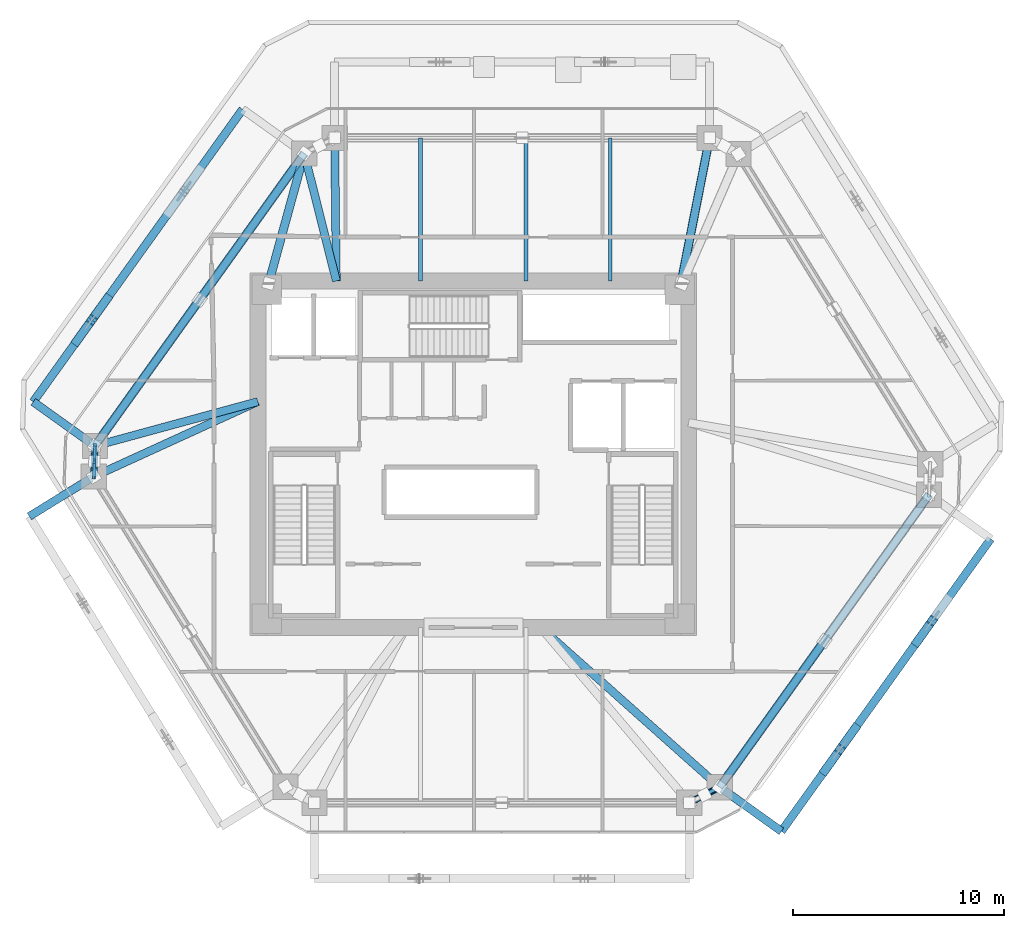
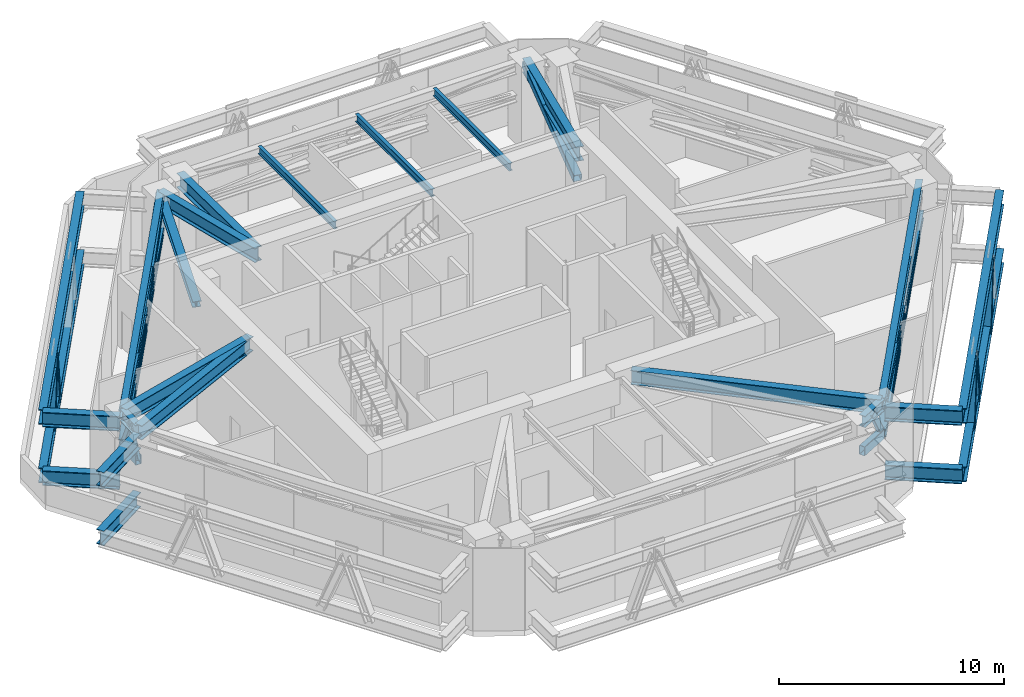
# One storey, part 2 of 11: 23 beams, 19 members.
"""IFC4 building model written with IfcOpenShell, lengths in metres."""

from ifc_helpers import new_model, si_unit, direction, frame, origin, origin_2d, place, context, subcontext, project, spatial, hollow_rectangle, i_section, extrude, source, transform, mapped, material, material_profile, profile_set, type_object, type_shapes, element, save


model = new_model("IFC4")

# Units and contexts
model_context = context("Model", 3, precision=1e-05, world=origin(), true_north=direction((0.0, 1.0)))
body_context = subcontext(model_context, "Body", "Model", "MODEL_VIEW")
ifc_project = project(units=[si_unit("LENGTHUNIT", "METRE"), si_unit("AREAUNIT", "SQUARE_METRE"), si_unit("VOLUMEUNIT", "CUBIC_METRE"), si_unit("PLANEANGLEUNIT", "RADIAN"), si_unit("MASSUNIT", "GRAM", prefix="KILO")], contexts=[model_context])

# Site, building, storey
site_placement = place(None, origin())
site = spatial("IfcSite", under=ifc_project, at=site_placement, CompositionType="ELEMENT")
building_placement = place(site_placement, origin())
building = spatial("IfcBuilding", under=site, at=building_placement, Name="Durnholm Broadcast Tower", CompositionType="ELEMENT")
storey_placement = place(building_placement, frame((0.0, 0.0, 150.300048828125)))
storey = spatial("IfcBuildingStorey", under=building, at=storey_placement, Name="L41", CompositionType="ELEMENT", Elevation=150.300048828125)

# Beams
ifc_material_1 = material(Name="Steel ASTM A992 Grade 50", Category="steel")
ifc_material_profile_1 = material_profile(ifc_material_1, i_section(OverallWidth=0.385009765625, OverallDepth=0.802978515625, WebThickness=0.023681640625, FlangeThickness=0.0419921875, FilletRadius=0.032958984375, at=origin_2d()), Name="W30X261")
ifc_profile_set_1 = profile_set([ifc_material_profile_1], Name="Steel ASTM A992 Grade 50")
beam_type_1 = type_object("IfcBeamType", Name="BM-EXO-TIE", PredefinedType="USERDEFINED", material=ifc_profile_set_1)
shared_shape_1 = source(origin(), body_context, "Body", "SweptSolid", [
    extrude(i_section(OverallWidth=0.385009765625, OverallDepth=0.802978515625, WebThickness=0.023681640625, FlangeThickness=0.0419921875, FilletRadius=0.032958984375, at=origin_2d()), origin(), (0.0, 0.0, 1.0), 3.4560546875),
])
for number, where, z_axis, x_axis, name in (
    (1, (11.81689453125, -15.884033203125, 0.550048828125), (0.813079048773, -0.582153296346, 0.0), (0.582153296346, 0.813079048773, 0.0), "L41 zone-base exoskeleton stand-off tie bracket F2.1"),
    (2, (11.81689453125, -15.884033203125, 3.728515625), (0.813079048773, -0.582153296346, 0.0), (0.582153296346, 0.813079048773, 0.0), "L41 exoskeleton stand-off tie bracket F2.1"),
    (3, (-18.131591796875, -1.13232421875, 0.550048828125), (-0.850662348375, -0.525712439512, 0.0), (0.525712439512, -0.850662348375, 0.0), "L41 zone-base exoskeleton stand-off tie bracket F6.1"),
    (4, (-18.131591796875, -1.13232421875, 3.728515625), (-0.850662348375, -0.525712439512, 0.0), (0.525712439512, -0.850662348375, 0.0), "L41 exoskeleton stand-off tie bracket F6.1"),
):
    element("IfcBeam", number, at=place(storey_placement, frame(where, z_axis=z_axis, x_axis=x_axis)), inside=storey, type_object=beam_type_1, Name=name, ObjectType="GIRDER", PredefinedType="USERDEFINED", context=body_context, shape_type="MappedRepresentation", body=[
        mapped(shared_shape_1, transform((0.0, 0.0, 0.0), x_axis=(1.0, 0.0, 0.0), y_axis=(0.0, 1.0, 0.0), z_axis=(0.0, 0.0, 1.0), scale=1.0)),
    ])
shared_shape_2 = source(origin(), body_context, "Body", "SweptSolid", [
    extrude(i_section(OverallWidth=0.385009765625, OverallDepth=0.802978515625, WebThickness=0.023681640625, FlangeThickness=0.0419921875, FilletRadius=0.032958984375, at=origin_2d()), origin(), (0.0, 0.0, 1.0), 3.455810546875),
])
for number, where, z_axis, x_axis, name in (
    (5, (-18.076904296875, 0.4794921875, 0.550048828125), (-0.813112485828, 0.582106592808, 0.0), (-0.582106592808, -0.813112485828, 0.0), "L41 zone-base exoskeleton stand-off tie bracket F5.2"),
    (6, (-18.076904296875, 0.4794921875, 3.728515625), (-0.813112485828, 0.582106592808, 0.0), (-0.582106592808, -0.813112485828, 0.0), "L41 exoskeleton stand-off tie bracket F5.2"),
):
    element("IfcBeam", number, at=place(storey_placement, frame(where, z_axis=z_axis, x_axis=x_axis)), inside=storey, type_object=beam_type_1, Name=name, ObjectType="GIRDER", PredefinedType="USERDEFINED", context=body_context, shape_type="MappedRepresentation", body=[
        mapped(shared_shape_2, transform((0.0, 0.0, 0.0), x_axis=(1.0, 0.0, 0.0), y_axis=(0.0, 1.0, 0.0), z_axis=(0.0, 0.0, 1.0), scale=1.0)),
    ])
ifc_material_profile_2 = material_profile(ifc_material_1, i_section(OverallWidth=0.3251953125, OverallDepth=0.6162109375, WebThickness=0.013916015625, FlangeThickness=0.021484375, FilletRadius=0.02783203125, at=origin_2d()), Name="W24X117")
ifc_profile_set_2 = profile_set([ifc_material_profile_2], Name="Steel ASTM A992 Grade 50")
beam_type_2 = type_object("IfcBeamType", Name="STL-SP-W24X117", PredefinedType="SPANDREL", material=ifc_profile_set_2)
shared_shape_3 = source(origin(), body_context, "Body", "SweptSolid", [
    extrude(i_section(OverallWidth=0.3251953125, OverallDepth=0.6162109375, WebThickness=0.013916015625, FlangeThickness=0.021484375, FilletRadius=0.02783203125, at=origin_2d()), origin(), (0.0, 0.0, 1.0), 1.452880859375),
])
beam_1_placement = place(storey_placement, frame((-18.009033203125, -1.056640625, 4.15673828125), z_axis=(0.03377359304, 0.999429509477, 0.0), x_axis=(-0.999429509477, 0.03377359304, 0.0)))
element("IfcBeam", 7, at=beam_1_placement, inside=storey, type_object=beam_type_2, Name="L41 perimeter spandrel girder 02", PredefinedType="SPANDREL", context=body_context, shape_type="MappedRepresentation", body=[
    mapped(shared_shape_3, transform((0.0, 0.0, 0.0), x_axis=(1.0, 0.0, 0.0), y_axis=(0.0, 1.0, 0.0), z_axis=(0.0, 0.0, 1.0), scale=1.0)),
])
shared_shape_4 = source(origin(), body_context, "Body", "SweptSolid", [
    extrude(i_section(OverallWidth=0.3251953125, OverallDepth=0.6162109375, WebThickness=0.013916015625, FlangeThickness=0.021484375, FilletRadius=0.02783203125, at=origin_2d()), origin(), (0.0, 0.0, 1.0), 17.07177734375),
])
beam_2_placement = place(storey_placement, frame((-17.9599609375, 0.3955078125, 4.15673828125), z_axis=(0.582142843258, 0.813086532937, 0.0), x_axis=(-0.813086532937, 0.582142843258, 0.0)))
element("IfcBeam", 8, at=beam_2_placement, inside=storey, type_object=beam_type_2, Name="L41 perimeter spandrel girder 03", PredefinedType="SPANDREL", context=body_context, shape_type="MappedRepresentation", body=[
    mapped(shared_shape_4, transform((0.0, 0.0, 0.0), x_axis=(1.0, 0.0, 0.0), y_axis=(0.0, 1.0, 0.0), z_axis=(0.0, 0.0, 1.0), scale=1.0)),
])
shared_shape_5 = source(origin(), body_context, "Body", "SweptSolid", [
    extrude(i_section(OverallWidth=0.3251953125, OverallDepth=0.6162109375, WebThickness=0.013916015625, FlangeThickness=0.021484375, FilletRadius=0.02783203125, at=origin_2d()), origin(), (0.0, 0.0, 1.0), 1.62255859375),
])
beam_3_placement = place(storey_placement, frame((11.69970703125, -15.80029296875, 4.15673828125), z_axis=(-0.889406668864, -0.45711680934, 0.0), x_axis=(0.45711680934, -0.889406668864, 0.0)))
element("IfcBeam", 9, at=beam_3_placement, inside=storey, type_object=beam_type_2, Name="L41 perimeter spandrel girder 10", PredefinedType="SPANDREL", context=body_context, shape_type="MappedRepresentation", body=[
    mapped(shared_shape_5, transform((0.0, 0.0, 0.0), x_axis=(1.0, 0.0, 0.0), y_axis=(0.0, 1.0, 0.0), z_axis=(0.0, 0.0, 1.0), scale=1.0)),
])
shared_shape_6 = source(origin(), body_context, "Body", "SweptSolid", [
    extrude(i_section(OverallWidth=0.3251953125, OverallDepth=0.6162109375, WebThickness=0.013916015625, FlangeThickness=0.021484375, FilletRadius=0.02783203125, at=origin_2d()), origin(), (0.0, 0.0, 1.0), 17.071533203125),
])
type_shapes(beam_type_2, [shared_shape_3, shared_shape_4, shared_shape_5, shared_shape_6])
beam_4_placement = place(storey_placement, frame((21.637939453125, -1.919677734375, 4.15673828125), z_axis=(-0.582149612352, -0.813081686449, 0.0), x_axis=(0.813081686449, -0.582149612352, 0.0)))
element("IfcBeam", 10, at=beam_4_placement, inside=storey, type_object=beam_type_2, Name="L41 perimeter spandrel girder 09", PredefinedType="SPANDREL", context=body_context, shape_type="MappedRepresentation", body=[
    mapped(shared_shape_6, transform((0.0, 0.0, 0.0), x_axis=(1.0, 0.0, 0.0), y_axis=(0.0, 1.0, 0.0), z_axis=(0.0, 0.0, 1.0), scale=1.0)),
])
ifc_material_profile_3 = material_profile(ifc_material_1, i_section(OverallWidth=0.380615234375, OverallDepth=0.773193359375, WebThickness=0.0166015625, FlangeThickness=0.027099609375, FilletRadius=0.032958984375, at=origin_2d()), Name="W30X173")
ifc_profile_set_3 = profile_set([ifc_material_profile_3], Name="Steel ASTM A992 Grade 50")
beam_type_3 = type_object("IfcBeamType", Name="STL-GR-W30X173", PredefinedType="USERDEFINED", material=ifc_profile_set_3)
shared_shape_7 = source(origin(), body_context, "Body", "SweptSolid", [
    extrude(i_section(OverallWidth=0.380615234375, OverallDepth=0.773193359375, WebThickness=0.0166015625, FlangeThickness=0.027099609375, FilletRadius=0.032958984375, at=origin_2d()), origin(), (0.0, 0.0, 1.0), 8.55810546875),
])
beam_5_placement = place(storey_placement, frame((-10.22509765625, 2.5, 4.078369140625), z_axis=(-0.909550893837, -0.415592554697, 0.0), x_axis=(0.415592554697, -0.909550893837, 0.0)))
element("IfcBeam", 11, at=beam_5_placement, inside=storey, type_object=beam_type_3, Name="L41 radial primary floor girder 02", ObjectType="GIRDER", PredefinedType="USERDEFINED", context=body_context, shape_type="MappedRepresentation", body=[
    mapped(shared_shape_7, transform((0.0, 0.0, 0.0), x_axis=(1.0, 0.0, 0.0), y_axis=(0.0, 1.0, 0.0), z_axis=(0.0, 0.0, 1.0), scale=1.0)),
])
shared_shape_8 = source(origin(), body_context, "Body", "SweptSolid", [
    extrude(i_section(OverallWidth=0.380615234375, OverallDepth=0.773193359375, WebThickness=0.0166015625, FlangeThickness=0.027099609375, FilletRadius=0.032958984375, at=origin_2d()), origin(), (0.0, 0.0, 1.0), 8.01611328125),
])
beam_6_placement = place(storey_placement, frame((-10.22509765625, 2.5, 4.078369140625), z_axis=(-0.96492248774, -0.262534936062, 0.0), x_axis=(0.262534936062, -0.96492248774, 0.0)))
element("IfcBeam", 12, at=beam_6_placement, inside=storey, type_object=beam_type_3, Name="L41 radial primary floor girder 03", ObjectType="GIRDER", PredefinedType="USERDEFINED", context=body_context, shape_type="MappedRepresentation", body=[
    mapped(shared_shape_8, transform((0.0, 0.0, 0.0), x_axis=(1.0, 0.0, 0.0), y_axis=(0.0, 1.0, 0.0), z_axis=(0.0, 0.0, 1.0), scale=1.0)),
])
shared_shape_9 = source(origin(), body_context, "Body", "SweptSolid", [
    extrude(i_section(OverallWidth=0.380615234375, OverallDepth=0.773193359375, WebThickness=0.0166015625, FlangeThickness=0.027099609375, FilletRadius=0.032958984375, at=origin_2d()), origin(), (0.0, 0.0, 1.0), 6.23974609375),
])
beam_7_placement = place(storey_placement, frame((-6.5, 8.22509765625, 4.078369140625), z_axis=(-0.243879524926, 0.969805535828, 0.0), x_axis=(-0.969805535828, -0.243879524926, 0.0)))
element("IfcBeam", 13, at=beam_7_placement, inside=storey, type_object=beam_type_3, Name="L41 radial primary floor girder 04", ObjectType="GIRDER", PredefinedType="USERDEFINED", context=body_context, shape_type="MappedRepresentation", body=[
    mapped(shared_shape_9, transform((0.0, 0.0, 0.0), x_axis=(1.0, 0.0, 0.0), y_axis=(0.0, 1.0, 0.0), z_axis=(0.0, 0.0, 1.0), scale=1.0)),
])
shared_shape_10 = source(origin(), body_context, "Body", "SweptSolid", [
    extrude(i_section(OverallWidth=0.380615234375, OverallDepth=0.773193359375, WebThickness=0.0166015625, FlangeThickness=0.027099609375, FilletRadius=0.032958984375, at=origin_2d()), origin(), (0.0, 0.0, 1.0), 6.79345703125),
])
beam_8_placement = place(storey_placement, frame((-6.5, 8.22509765625, 4.078369140625), z_axis=(-0.011571968074, 0.999933042536, 0.0), x_axis=(-0.999933042536, -0.011571968074, 0.0)))
element("IfcBeam", 14, at=beam_8_placement, inside=storey, type_object=beam_type_3, Name="L41 radial primary floor girder 05", ObjectType="GIRDER", PredefinedType="USERDEFINED", context=body_context, shape_type="MappedRepresentation", body=[
    mapped(shared_shape_10, transform((0.0, 0.0, 0.0), x_axis=(1.0, 0.0, 0.0), y_axis=(0.0, 1.0, 0.0), z_axis=(0.0, 0.0, 1.0), scale=1.0)),
])
shared_shape_11 = source(origin(), body_context, "Body", "SweptSolid", [
    extrude(i_section(OverallWidth=0.380615234375, OverallDepth=0.773193359375, WebThickness=0.0166015625, FlangeThickness=0.027099609375, FilletRadius=0.032958984375, at=origin_2d()), origin(), (0.0, 0.0, 1.0), 7.35595703125),
])
beam_9_placement = place(storey_placement, frame((9.800048828125, 7.800048828125, 4.078369140625), z_axis=(0.192700221893, 0.981257674865, 0.0), x_axis=(-0.981257674865, 0.192700221893, 0.0)))
element("IfcBeam", 15, at=beam_9_placement, inside=storey, type_object=beam_type_3, Name="L41 radial primary floor girder 06", ObjectType="GIRDER", PredefinedType="USERDEFINED", context=body_context, shape_type="MappedRepresentation", body=[
    mapped(shared_shape_11, transform((0.0, 0.0, 0.0), x_axis=(1.0, 0.0, 0.0), y_axis=(0.0, 1.0, 0.0), z_axis=(0.0, 0.0, 1.0), scale=1.0)),
])
shared_shape_12 = source(origin(), body_context, "Body", "SweptSolid", [
    extrude(i_section(OverallWidth=0.380615234375, OverallDepth=0.773193359375, WebThickness=0.0166015625, FlangeThickness=0.027099609375, FilletRadius=0.032958984375, at=origin_2d()), origin(), (0.0, 0.0, 1.0), 11.385498046875),
])
type_shapes(beam_type_3, [shared_shape_7, shared_shape_8, shared_shape_9, shared_shape_10, shared_shape_11, shared_shape_12])
beam_10_placement = place(storey_placement, frame((3.199951171875, -8.22509765625, 4.078369140625), z_axis=(0.746542676897, -0.665337532063, 0.0), x_axis=(0.665337532063, 0.746542676897, 0.0)))
element("IfcBeam", 16, at=beam_10_placement, inside=storey, type_object=beam_type_3, Name="L41 radial primary floor girder 10", ObjectType="GIRDER", PredefinedType="USERDEFINED", context=body_context, shape_type="MappedRepresentation", body=[
    mapped(shared_shape_12, transform((0.0, 0.0, 0.0), x_axis=(1.0, 0.0, 0.0), y_axis=(0.0, 1.0, 0.0), z_axis=(0.0, 0.0, 1.0), scale=1.0)),
])
ifc_material_profile_4 = material_profile(ifc_material_1, i_section(OverallWidth=0.177734375, OverallDepth=0.40673828125, WebThickness=0.0078125, FlangeThickness=0.0126953125, FilletRadius=0.01904296875, at=origin_2d()), Name="W16X40")
ifc_profile_set_4 = profile_set([ifc_material_profile_4], Name="Steel ASTM A992 Grade 50")
beam_type_4 = type_object("IfcBeamType", Name="STL-BJ-W16X40", PredefinedType="JOIST", material=ifc_profile_set_4)
shared_shape_13 = source(origin(), body_context, "Body", "SweptSolid", [
    extrude(i_section(OverallWidth=0.177734375, OverallDepth=0.40673828125, WebThickness=0.0078125, FlangeThickness=0.0126953125, FilletRadius=0.01904296875, at=origin_2d()), origin(), (0.0, 0.0, 1.0), 6.79296875),
])
type_shapes(beam_type_4, [shared_shape_13])
for number, where, z_axis, x_axis, name in (
    (17, (-2.5, 8.22509765625, 4.26171875), (0.0, 1.0, 0.0), (-1.0, 0.0, 0.0), "L41 secondary floor joist 5.2"),
    (18, (2.5, 8.22509765625, 4.26171875), (0.0, 1.0, 0.0), (-1.0, 0.0, 0.0), "L41 secondary floor joist 6.2"),
    (19, (6.5, 8.22509765625, 4.26171875), (0.0, 1.0, 0.0), (-1.0, 0.0, 0.0), "L41 secondary floor joist 7.2"),
):
    element("IfcBeam", number, at=place(storey_placement, frame(where, z_axis=z_axis, x_axis=x_axis)), inside=storey, type_object=beam_type_4, Name=name, PredefinedType="JOIST", context=body_context, shape_type="MappedRepresentation", body=[
        mapped(shared_shape_13, transform((0.0, 0.0, 0.0), x_axis=(1.0, 0.0, 0.0), y_axis=(0.0, 1.0, 0.0), z_axis=(0.0, 0.0, 1.0), scale=1.0)),
    ])

# Members
ifc_material_2 = material(Name="Steel ASTM A500 Grade C", Category="steel")
ifc_material_profile_5 = material_profile(ifc_material_2, hollow_rectangle(XDim=0.3046875, YDim=0.508056640625, WallThickness=0.014892578125, InnerFilletRadius=0.022216796875, OuterFilletRadius=0.037109375, at=origin_2d()), Name="HSS20X12X5/8")
ifc_profile_set_5 = profile_set([ifc_material_profile_5], Name="Steel ASTM A500 Grade C")
member_type_1 = type_object("IfcMemberType", Name="STL-TC-HSS20X12", PredefinedType="CHORD", material=ifc_profile_set_5)
shared_shape_14 = source(origin(), body_context, "Body", "SweptSolid", [
    extrude(hollow_rectangle(XDim=0.3046875, YDim=0.508056640625, WallThickness=0.014892578125, InnerFilletRadius=0.022216796875, OuterFilletRadius=0.037109375, at=origin_2d()), origin(), (0.0, 0.0, 1.0), 1.452880859375),
])
member_1_placement = place(storey_placement, frame((-18.009033203125, -1.056640625, 2.550048828125), z_axis=(0.03377359304, 0.999429509477, 0.0), x_axis=(-0.999429509477, 0.03377359304, 0.0)))
element("IfcMember", 20, at=member_1_placement, inside=storey, type_object=member_type_1, Name="L41 perimeter belt-truss bottom chord 02", PredefinedType="CHORD", context=body_context, shape_type="MappedRepresentation", body=[
    mapped(shared_shape_14, transform((0.0, 0.0, 0.0), x_axis=(1.0, 0.0, 0.0), y_axis=(0.0, 1.0, 0.0), z_axis=(0.0, 0.0, 1.0), scale=1.0)),
])
ifc_material_profile_6 = material_profile(ifc_material_2, hollow_rectangle(XDim=0.15234375, YDim=0.25390625, WallThickness=0.0087890625, InnerFilletRadius=0.013427734375, OuterFilletRadius=0.022216796875, at=origin_2d()), Name="HSS10X6X3/8")
ifc_profile_set_6 = profile_set([ifc_material_profile_6], Name="Steel ASTM A500 Grade C")
member_type_2 = type_object("IfcMemberType", Name="STL-TB-HSS10X6", PredefinedType="BRACE", material=ifc_profile_set_6)
shared_shape_15 = source(origin(), body_context, "Body", "SweptSolid", [
    extrude(hollow_rectangle(XDim=0.15234375, YDim=0.25390625, WallThickness=0.0087890625, InnerFilletRadius=0.013427734375, OuterFilletRadius=0.022216796875, at=origin_2d()), origin(), (0.0, 0.0, 1.0), 1.73876953125),
])
type_shapes(member_type_2, [shared_shape_15])
for number, where, z_axis, x_axis, name in (
    (21, (-18.009033203125, -1.056640625, 2.550048828125), (0.014040220127, 0.417556146566, 0.908542644395), (-0.999435167082, 0.03360575545, 0.0), "L41 belt-truss chevron brace 02.1"),
    (22, (-17.9599609375, 0.3955078125, 2.550048828125), (-0.014180594234, -0.417555319334, 0.908540844455), (0.999423823751, -0.033941427774, 0.0), "L41 belt-truss chevron brace 02.2"),
):
    element("IfcMember", number, at=place(storey_placement, frame(where, z_axis=z_axis, x_axis=x_axis)), inside=storey, type_object=member_type_2, Name=name, PredefinedType="BRACE", context=body_context, shape_type="MappedRepresentation", body=[
        mapped(shared_shape_15, transform((0.0, 0.0, 0.0), x_axis=(1.0, 0.0, 0.0), y_axis=(0.0, 1.0, 0.0), z_axis=(0.0, 0.0, 1.0), scale=1.0)),
    ])
ifc_material_profile_7 = material_profile(ifc_material_1, i_section(OverallWidth=0.4013671875, OverallDepth=0.3994140625, WebThickness=0.02490234375, FlangeThickness=0.03955078125, FilletRadius=0.030517578125, at=origin_2d()), Name="W14X211")
ifc_profile_set_7 = profile_set([ifc_material_profile_7], Name="Steel ASTM A992 Grade 50")
member_type_3 = type_object("IfcMemberType", Name="STL-TC-W14X211", PredefinedType="CHORD", material=ifc_profile_set_7)
shared_shape_16 = source(origin(), body_context, "Body", "SweptSolid", [
    extrude(i_section(OverallWidth=0.4013671875, OverallDepth=0.3994140625, WebThickness=0.02490234375, FlangeThickness=0.03955078125, FilletRadius=0.030517578125, at=origin_2d()), origin(), (0.0, 0.0, 1.0), 17.07177734375),
])
member_2_placement = place(storey_placement, frame((-17.9599609375, 0.3955078125, 2.550048828125), z_axis=(0.582142843258, 0.813086532937, 0.0), x_axis=(-0.813086532937, 0.582142843258, 0.0)))
element("IfcMember", 23, at=member_2_placement, inside=storey, type_object=member_type_3, Name="L41 perimeter belt-truss bottom chord 03", PredefinedType="CHORD", context=body_context, shape_type="MappedRepresentation", body=[
    mapped(shared_shape_16, transform((0.0, 0.0, 0.0), x_axis=(1.0, 0.0, 0.0), y_axis=(0.0, 1.0, 0.0), z_axis=(0.0, 0.0, 1.0), scale=1.0)),
])
ifc_material_3 = material(Name="Steel ASTM A913 Grade 65", Category="steel")
ifc_material_profile_8 = material_profile(ifc_material_3, i_section(OverallWidth=0.412109375, OverallDepth=0.434814453125, WebThickness=0.035888671875, FlangeThickness=0.057373046875, FilletRadius=0.030517578125, at=origin_2d()), Name="W14X311")
ifc_profile_set_8 = profile_set([ifc_material_profile_8], Name="Steel ASTM A913 Grade 65")
member_type_4 = type_object("IfcMemberType", Name="STL-DG-W14X311", PredefinedType="BRACE", material=ifc_profile_set_8)
shared_shape_17 = source(origin(), body_context, "Body", "SweptSolid", [
    extrude(i_section(OverallWidth=0.412109375, OverallDepth=0.434814453125, WebThickness=0.035888671875, FlangeThickness=0.057373046875, FilletRadius=0.030517578125, at=origin_2d()), origin(), (0.0, 0.0, 1.0), 17.144775390625),
])
member_3_placement = place(storey_placement, frame((-17.9599609375, 0.3955078125, 2.550048828125), z_axis=(0.579666078289, 0.809627202869, 0.092146785383), x_axis=(-0.813086532937, 0.582142843258, 0.0)))
element("IfcMember", 24, at=member_3_placement, inside=storey, type_object=member_type_4, Name="L41 belt-truss continuous X-diagonal brace 03", PredefinedType="BRACE", context=body_context, shape_type="MappedRepresentation", body=[
    mapped(shared_shape_17, transform((0.0, 0.0, 0.0), x_axis=(1.0, 0.0, 0.0), y_axis=(0.0, 1.0, 0.0), z_axis=(0.0, 0.0, 1.0), scale=1.0)),
])
shared_shape_18 = source(origin(), body_context, "Body", "SweptSolid", [
    extrude(i_section(OverallWidth=0.412109375, OverallDepth=0.434814453125, WebThickness=0.035888671875, FlangeThickness=0.057373046875, FilletRadius=0.030517578125, at=origin_2d()), origin(), (0.0, 0.0, 1.0), 8.572509765625),
])
member_4_placement = place(storey_placement, frame((-8.021728515625, 14.2763671875, 2.550048828125), z_axis=(-0.579676293885, -0.809621582124, 0.092131905803), x_axis=(0.813079763903, -0.58215229754, 0.0)))
element("IfcMember", 25, at=member_4_placement, inside=storey, type_object=member_type_4, Name="L41 belt-truss split X-diagonal segment 03.1", PredefinedType="BRACE", context=body_context, shape_type="MappedRepresentation", body=[
    mapped(shared_shape_18, transform((0.0, 0.0, 0.0), x_axis=(1.0, 0.0, 0.0), y_axis=(0.0, 1.0, 0.0), z_axis=(0.0, 0.0, 1.0), scale=1.0)),
])
shared_shape_19 = source(origin(), body_context, "Body", "SweptSolid", [
    extrude(i_section(OverallWidth=0.412109375, OverallDepth=0.434814453125, WebThickness=0.035888671875, FlangeThickness=0.057373046875, FilletRadius=0.030517578125, at=origin_2d()), origin(), (0.0, 0.0, 1.0), 8.572265625),
])
for number, where, z_axis, x_axis, name in (
    (26, (-12.990966796875, 7.3359375, 3.33984375), (-0.579655862343, -0.809632823402, 0.092161665138), (0.813093301974, -0.582133388739, 0.0), "L41 belt-truss split X-diagonal segment 03.2"),
    (27, (11.69970703125, -15.80029296875, 2.550048828125), (0.579657383581, 0.809634948186, 0.092133426811), (-0.813093301974, 0.582133388739, 0.0), "L41 belt-truss split X-diagonal segment 09.1"),
):
    element("IfcMember", number, at=place(storey_placement, frame(where, z_axis=z_axis, x_axis=x_axis)), inside=storey, type_object=member_type_4, Name=name, PredefinedType="BRACE", context=body_context, shape_type="MappedRepresentation", body=[
        mapped(shared_shape_19, transform((0.0, 0.0, 0.0), x_axis=(1.0, 0.0, 0.0), y_axis=(0.0, 1.0, 0.0), z_axis=(0.0, 0.0, 1.0), scale=1.0)),
    ])
shared_shape_20 = source(origin(), body_context, "Body", "SweptSolid", [
    extrude(hollow_rectangle(XDim=0.3046875, YDim=0.508056640625, WallThickness=0.014892578125, InnerFilletRadius=0.022216796875, OuterFilletRadius=0.037109375, at=origin_2d()), origin(), (0.0, 0.0, 1.0), 1.62255859375),
])
type_shapes(member_type_1, [shared_shape_14, shared_shape_20])
member_5_placement = place(storey_placement, frame((11.69970703125, -15.80029296875, 2.550048828125), z_axis=(-0.889406668864, -0.45711680934, 0.0), x_axis=(0.45711680934, -0.889406668864, 0.0)))
element("IfcMember", 28, at=member_5_placement, inside=storey, type_object=member_type_1, Name="L41 perimeter belt-truss bottom chord 10", PredefinedType="CHORD", context=body_context, shape_type="MappedRepresentation", body=[
    mapped(shared_shape_20, transform((0.0, 0.0, 0.0), x_axis=(1.0, 0.0, 0.0), y_axis=(0.0, 1.0, 0.0), z_axis=(0.0, 0.0, 1.0), scale=1.0)),
])
ifc_material_profile_9 = material_profile(ifc_material_2, hollow_rectangle(XDim=0.203125, YDim=0.3046875, WallThickness=0.01171875, InnerFilletRadius=0.017578125, OuterFilletRadius=0.029541015625, at=origin_2d()), Name="HSS12X8X1/2")
ifc_profile_set_9 = profile_set([ifc_material_profile_9], Name="Steel ASTM A500 Grade C")
member_type_5 = type_object("IfcMemberType", Name="STL-TB-HSS12X8", PredefinedType="BRACE", material=ifc_profile_set_9)
shared_shape_21 = source(origin(), body_context, "Body", "SweptSolid", [
    extrude(hollow_rectangle(XDim=0.203125, YDim=0.3046875, WallThickness=0.01171875, InnerFilletRadius=0.017578125, OuterFilletRadius=0.029541015625, at=origin_2d()), origin(), (0.0, 0.0, 1.0), 1.77587890625),
])
type_shapes(member_type_5, [shared_shape_21])
member_6_placement = place(storey_placement, frame((11.69970703125, -15.80029296875, 2.550048828125), z_axis=(-0.406233150516, -0.208821710875, 0.889588736714), x_axis=(0.457177990462, -0.889375221735, 0.0)))
element("IfcMember", 29, at=member_6_placement, inside=storey, type_object=member_type_5, Name="L41 belt-truss chevron brace 10.1", PredefinedType="BRACE", context=body_context, shape_type="MappedRepresentation", body=[
    mapped(shared_shape_21, transform((0.0, 0.0, 0.0), x_axis=(1.0, 0.0, 0.0), y_axis=(0.0, 1.0, 0.0), z_axis=(0.0, 0.0, 1.0), scale=1.0)),
])
shared_shape_22 = source(origin(), body_context, "Body", "SweptSolid", [
    extrude(i_section(OverallWidth=0.4013671875, OverallDepth=0.3994140625, WebThickness=0.02490234375, FlangeThickness=0.03955078125, FilletRadius=0.030517578125, at=origin_2d()), origin(), (0.0, 0.0, 1.0), 17.071533203125),
])
type_shapes(member_type_3, [shared_shape_16, shared_shape_22])
member_7_placement = place(storey_placement, frame((21.637939453125, -1.919677734375, 2.550048828125), z_axis=(-0.582149612352, -0.813081686449, 0.0), x_axis=(0.813081686449, -0.582149612352, 0.0)))
element("IfcMember", 30, at=member_7_placement, inside=storey, type_object=member_type_3, Name="L41 perimeter belt-truss bottom chord 09", PredefinedType="CHORD", context=body_context, shape_type="MappedRepresentation", body=[
    mapped(shared_shape_22, transform((0.0, 0.0, 0.0), x_axis=(1.0, 0.0, 0.0), y_axis=(0.0, 1.0, 0.0), z_axis=(0.0, 0.0, 1.0), scale=1.0)),
])
shared_shape_23 = source(origin(), body_context, "Body", "SweptSolid", [
    extrude(i_section(OverallWidth=0.412109375, OverallDepth=0.434814453125, WebThickness=0.035888671875, FlangeThickness=0.057373046875, FilletRadius=0.030517578125, at=origin_2d()), origin(), (0.0, 0.0, 1.0), 17.14453125),
])
member_8_placement = place(storey_placement, frame((21.637939453125, -1.919677734375, 2.550048828125), z_axis=(-0.57967276135, -0.809622297063, 0.092147847758), x_axis=(0.813081686449, -0.582149612352, 0.0)))
element("IfcMember", 31, at=member_8_placement, inside=storey, type_object=member_type_4, Name="L41 belt-truss continuous X-diagonal brace 09", PredefinedType="BRACE", context=body_context, shape_type="MappedRepresentation", body=[
    mapped(shared_shape_23, transform((0.0, 0.0, 0.0), x_axis=(1.0, 0.0, 0.0), y_axis=(0.0, 1.0, 0.0), z_axis=(0.0, 0.0, 1.0), scale=1.0)),
])
ifc_material_profile_10 = material_profile(ifc_material_1, i_section(OverallWidth=0.3974609375, OverallDepth=0.38671875, WebThickness=0.02099609375, FlangeThickness=0.033203125, FilletRadius=0.030517578125, at=origin_2d()), Name="W14X176")
ifc_profile_set_10 = profile_set([ifc_material_profile_10], Name="Steel ASTM A992 Grade 50")
member_type_6 = type_object("IfcMemberType", Name="STL-OS-W14X176", PredefinedType="STRUT", material=ifc_profile_set_10)
shared_shape_24 = source(origin(), body_context, "Body", "SweptSolid", [
    extrude(i_section(OverallWidth=0.3974609375, OverallDepth=0.38671875, WebThickness=0.02099609375, FlangeThickness=0.033203125, FilletRadius=0.030517578125, at=origin_2d()), origin(), (0.0, 0.0, 1.0), 6.588134765625),
])
type_shapes(member_type_6, [shared_shape_24])
member_9_placement = place(storey_placement, frame((-9.71533203125, 8.108642578125, 2.550048828125), z_axis=(0.257064372625, 0.93617085853, 0.239795813069), x_axis=(-0.964306084043, 0.264790060761, 0.0)))
element("IfcMember", 32, at=member_9_placement, inside=storey, type_object=member_type_6, Name="L41 radial core-to-perimeter outrigger strut 04", PredefinedType="STRUT", context=body_context, shape_type="MappedRepresentation", body=[
    mapped(shared_shape_24, transform((0.0, 0.0, 0.0), x_axis=(1.0, 0.0, 0.0), y_axis=(0.0, 1.0, 0.0), z_axis=(0.0, 0.0, 1.0), scale=1.0)),
])
ifc_material_profile_11 = material_profile(ifc_material_2, hollow_rectangle(XDim=0.406494140625, YDim=0.406494140625, WallThickness=0.014892578125, InnerFilletRadius=0.022216796875, OuterFilletRadius=0.037109375, at=origin_2d()), Name="HSS16X16X5/8")
ifc_profile_set_11 = profile_set([ifc_material_profile_11], Name="Steel ASTM A500 Grade C")
member_type_7 = type_object("IfcMemberType", Name="STL-OS-HSS16X16", PredefinedType="STRUT", material=ifc_profile_set_11)
shared_shape_25 = source(origin(), body_context, "Body", "SweptSolid", [
    extrude(hollow_rectangle(XDim=0.406494140625, YDim=0.406494140625, WallThickness=0.014892578125, InnerFilletRadius=0.022216796875, OuterFilletRadius=0.037109375, at=origin_2d()), origin(), (0.0, 0.0, 1.0), 7.211181640625),
])
type_shapes(member_type_7, [shared_shape_25])
member_10_placement = place(storey_placement, frame((9.86181640625, 8.114013671875, 2.550048828125), z_axis=(0.188003954704, 0.957421904387, 0.219084025011), x_axis=(-0.981260654989, 0.192685046047, 0.0)))
element("IfcMember", 33, at=member_10_placement, inside=storey, type_object=member_type_7, Name="L41 radial core-to-perimeter outrigger strut 06", PredefinedType="STRUT", context=body_context, shape_type="MappedRepresentation", body=[
    mapped(shared_shape_25, transform((0.0, 0.0, 0.0), x_axis=(1.0, 0.0, 0.0), y_axis=(0.0, 1.0, 0.0), z_axis=(0.0, 0.0, 1.0), scale=1.0)),
])
shared_shape_26 = source(origin(), body_context, "Body", "SweptSolid", [
    extrude(i_section(OverallWidth=0.412109375, OverallDepth=0.434814453125, WebThickness=0.035888671875, FlangeThickness=0.057373046875, FilletRadius=0.030517578125, at=origin_2d()), origin(), (0.0, 0.0, 1.0), 3.409423828125),
])
type_shapes(member_type_4, [shared_shape_17, shared_shape_18, shared_shape_19, shared_shape_23, shared_shape_26])
for number, where, z_axis, x_axis, name in (
    (34, (16.69140625, -15.0126953125, 0.550048828125), (0.210662844069, 0.294226249585, 0.932229628463), (-0.813077820009, 0.582155012526, 0.0), "L41 stand-off diagrid brace F2.D1.1"),
    (35, (18.1279296875, -13.00634765625, 0.550048828125), (-0.210662844069, -0.294226249585, 0.932229628463), (0.813077820009, -0.582155012526, 0.0), "L41 stand-off diagrid brace F2.D1.2"),
    (36, (21.064208984375, -8.905029296875, 0.550048828125), (0.210662844069, 0.294226249585, 0.932229628463), (-0.813077820009, 0.582155012526, 0.0), "L41 stand-off diagrid brace F2.D2.1"),
    (37, (-17.38623046875, 7.381103515625, 0.550048828125), (-0.210662844069, -0.294226249585, 0.932229628463), (0.813077820009, -0.582155012526, 0.0), "L41 stand-off diagrid brace F5.D2.1"),
    (38, (-18.822509765625, 5.374755859375, 0.550048828125), (0.210594414964, 0.294230687211, 0.932243688683), (-0.813171482985, 0.58202417412, 0.0), "L41 stand-off diagrid brace F5.D2.2"),
):
    element("IfcMember", number, at=place(storey_placement, frame(where, z_axis=z_axis, x_axis=x_axis)), inside=storey, type_object=member_type_4, Name=name, PredefinedType="BRACE", context=body_context, shape_type="MappedRepresentation", body=[
        mapped(shared_shape_26, transform((0.0, 0.0, 0.0), x_axis=(1.0, 0.0, 0.0), y_axis=(0.0, 1.0, 0.0), z_axis=(0.0, 0.0, 1.0), scale=1.0)),
    ])

# Beams
shared_shape_27 = source(origin(), body_context, "Body", "SweptSolid", [
    extrude(i_section(OverallWidth=0.385009765625, OverallDepth=0.802978515625, WebThickness=0.023681640625, FlangeThickness=0.0419921875, FilletRadius=0.032958984375, at=origin_2d()), origin(), (0.0, 0.0, 1.0), 17.071533203125),
])
for number, where, z_axis, x_axis, name in (
    (39, (14.626953125, -17.89599609375, 0.550048828125), (0.582140157836, 0.813088455603, 0.0), (-0.813088455603, 0.582140157836, 0.0), "L41 zone-base exoskeleton collector spandrel F2"),
    (40, (14.626953125, -17.89599609375, 3.728515625), (0.582140157836, 0.813088455603, 0.0), (-0.813088455603, 0.582140157836, 0.0), "L41 exoskeleton collector spandrel F2"),
):
    element("IfcBeam", number, at=place(storey_placement, frame(where, z_axis=z_axis, x_axis=x_axis)), inside=storey, type_object=beam_type_1, Name=name, PredefinedType="SPANDREL", context=body_context, shape_type="MappedRepresentation", body=[
        mapped(shared_shape_27, transform((0.0, 0.0, 0.0), x_axis=(1.0, 0.0, 0.0), y_axis=(0.0, 1.0, 0.0), z_axis=(0.0, 0.0, 1.0), scale=1.0)),
    ])
shared_shape_28 = source(origin(), body_context, "Body", "SweptSolid", [
    extrude(i_section(OverallWidth=0.385009765625, OverallDepth=0.802978515625, WebThickness=0.023681640625, FlangeThickness=0.0419921875, FilletRadius=0.032958984375, at=origin_2d()), origin(), (0.0, 0.0, 1.0), 17.07177734375),
])
type_shapes(beam_type_1, [shared_shape_1, shared_shape_2, shared_shape_27, shared_shape_28])
for number, where, z_axis, x_axis, name in (
    (41, (-10.948974609375, 16.3720703125, 0.550048828125), (-0.582133388739, -0.813093301974, 0.0), (0.813093301974, -0.582133388739, 0.0), "L41 zone-base exoskeleton collector spandrel F5"),
    (42, (-10.948974609375, 16.3720703125, 3.728515625), (-0.582133388739, -0.813093301974, 0.0), (0.813093301974, -0.582133388739, 0.0), "L41 exoskeleton collector spandrel F5"),
):
    element("IfcBeam", number, at=place(storey_placement, frame(where, z_axis=z_axis, x_axis=x_axis)), inside=storey, type_object=beam_type_1, Name=name, PredefinedType="SPANDREL", context=body_context, shape_type="MappedRepresentation", body=[
        mapped(shared_shape_28, transform((0.0, 0.0, 0.0), x_axis=(1.0, 0.0, 0.0), y_axis=(0.0, 1.0, 0.0), z_axis=(0.0, 0.0, 1.0), scale=1.0)),
    ])

save(model, "model.ifc")
